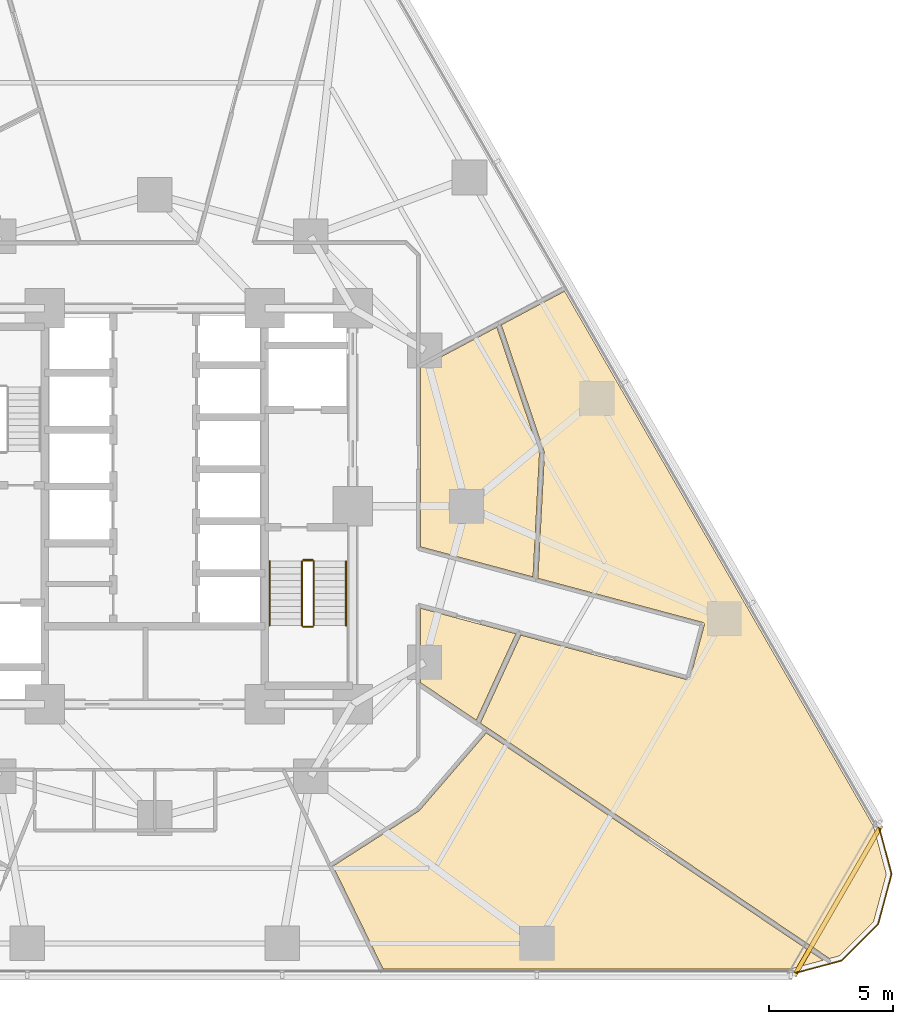
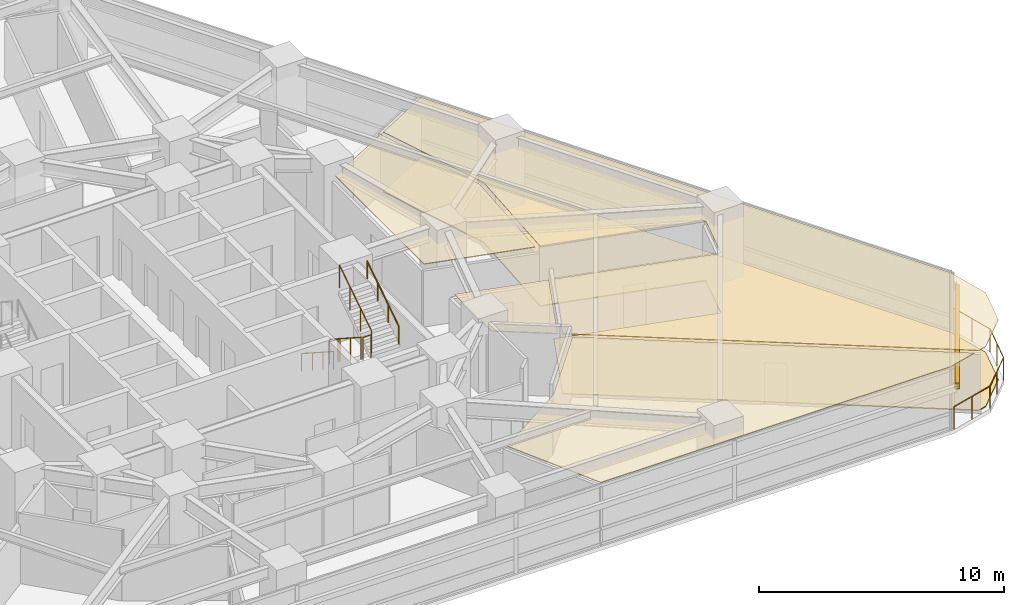
# One storey, part 15 of 16: 7 railings, 5 coverings, 1 shading device.
"""IFC4 building model written with IfcOpenShell, lengths in metres."""

from ifc_helpers import new_model, si_unit, direction, frame, origin, origin_2d, place, context, subcontext, project, spatial, polyline, rectangle, circle, outline, extrude, material, layer, layer_set, type_object, element, save


model = new_model("IFC4")

# Units and contexts
model_context = context("Model", 3, precision=1e-05, world=origin(), true_north=direction((0.0, 1.0)))
body_context = subcontext(model_context, "Body", "Model", "MODEL_VIEW")
ifc_project = project(units=[si_unit("LENGTHUNIT", "METRE"), si_unit("AREAUNIT", "SQUARE_METRE"), si_unit("VOLUMEUNIT", "CUBIC_METRE"), si_unit("PLANEANGLEUNIT", "RADIAN"), si_unit("MASSUNIT", "GRAM", prefix="KILO")], contexts=[model_context])

# Site, building, storey
site_placement = place(None, origin())
site = spatial("IfcSite", under=ifc_project, at=site_placement, CompositionType="ELEMENT")
building_placement = place(site_placement, origin())
building = spatial("IfcBuilding", under=site, at=building_placement, Name="Terralouvre Media Tower", CompositionType="ELEMENT")
storey_placement = place(building_placement, frame((0.0, 0.0, 37.10009765625)))
storey = spatial("IfcBuildingStorey", under=building, at=storey_placement, Name="L08", CompositionType="ELEMENT", Elevation=37.10009765625)

# Coverings
ifc_material_1 = material(Name="Resilient elastomer acoustic broadcast studio flooring")
ifc_layer_1 = layer(ifc_material_1, 0.050048828125, Name="Broadcast Studio Acoustic Floating Floor FL-AC1")
ifc_layer_set_1 = layer_set([ifc_layer_1], Name="Resilient elastomer acoustic broadcast studio flooring")
covering_type_1 = type_object("IfcCoveringType", Name="Broadcast Studio Acoustic Floating Floor FL-AC1", PredefinedType="FLOORING", material=ifc_layer_set_1)
covering_1_placement = place(storey_placement, origin())
element("IfcCovering", 1, at=covering_1_placement, inside=storey, type_object=covering_type_1, Name="L08 Creative Set Workshop 4 Acoustic Floating Floor", PredefinedType="FLOORING", context=body_context, shape_type="SweptSolid", body=[
    extrude(outline(polyline([(15.747802734375, 2.18505859375), (15.750244140625, 2.17578125), (15.752197265625, 2.16650390625), (15.7529296875, 2.1572265625), (15.7529296875, 2.147705078125), (15.487060546875, -2.907470703125), (22.140869140625, -4.6904296875), (22.150146484375, -4.693359375), (22.1591796875, -4.697265625), (22.167724609375, -4.7021484375), (22.17578125, -4.707763671875), (22.183349609375, -4.714111328125), (22.190185546875, -4.72119140625), (22.1962890625, -4.728759765625), (22.20166015625, -4.737060546875), (22.2060546875, -4.74560546875), (22.209716796875, -4.7548828125), (22.21240234375, -4.764404296875), (22.214111328125, -4.77392578125), (22.21484375, -4.78369140625), (22.21484375, -4.793701171875), (22.213623046875, -4.80322265625), (22.211669921875, -4.81298828125), (21.6416015625, -6.93798828125), (21.638671875, -6.947265625), (21.634765625, -6.956298828125), (21.6298828125, -6.96484375), (21.624267578125, -6.972900390625), (21.617919921875, -6.98046875), (21.61083984375, -6.9873046875), (21.603271484375, -6.993408203125), (21.594970703125, -6.99853515625), (21.586181640625, -7.003173828125), (21.5771484375, -7.006591796875), (21.567626953125, -7.009521484375), (21.55810546875, -7.010986328125), (21.54833984375, -7.011962890625), (21.538330078125, -7.01171875), (21.52880859375, -7.0107421875), (21.51904296875, -7.008544921875), (14.795654296875, -5.206298828125), (13.164306640625, -8.7587890625), (13.43994140625, -8.945068359375), (27.279052734375, -18.279541015625), (27.6611328125, -18.17724609375), (29.060302734375, -16.7783203125), (29.572509765625, -14.866943359375), (29.052734375, -12.926513671875), (16.568603515625, 8.6962890625), (14.0078125, 7.334716796875), (15.747802734375, 2.18505859375)])), origin(), (0.0, 0.0, 1.0), 0.0498046875),
])
ifc_material_2 = material(Name="Perforated aluminium acoustic ceiling baffle", Category="aluminium")
ifc_layer_2 = layer(ifc_material_2, 0.0400390625, Name="Perforated Acoustic Metal Tile Ceiling CL-AC1")
ifc_layer_set_2 = layer_set([ifc_layer_2], Name="Perforated aluminium acoustic ceiling baffle")
covering_type_2 = type_object("IfcCoveringType", Name="Perforated Acoustic Metal Tile Ceiling CL-AC1", PredefinedType="CEILING", material=ifc_layer_set_2)
covering_2_placement = place(storey_placement, frame((0.0, 0.0, 2.97998046875)))
element("IfcCovering", 2, at=covering_2_placement, inside=storey, type_object=covering_type_2, Name="L08 Preview Screening Cinema 3 Acoustic Ceiling", PredefinedType="CEILING", context=body_context, shape_type="SweptSolid", body=[
    extrude(outline(polyline([(14.599609375, -5.15380859375), (10.75, -4.122314453125), (10.75, -7.130859375), (12.996337890625, -8.645263671875), (14.599609375, -5.15380859375)])), origin(), (0.0, 0.0, 1.0), 0.0400390625),
])
covering_3_placement = place(storey_placement, frame((0.0, 0.0, 2.97998046875)))
element("IfcCovering", 3, at=covering_3_placement, inside=storey, type_object=covering_type_2, Name="L08 Creative Set Workshop 4 Acoustic Ceiling", PredefinedType="CEILING", context=body_context, shape_type="SweptSolid", body=[
    extrude(outline(polyline([(15.747802734375, 2.18505859375), (15.750244140625, 2.17578125), (15.752197265625, 2.16650390625), (15.7529296875, 2.1572265625), (15.7529296875, 2.147705078125), (15.487060546875, -2.907470703125), (22.140869140625, -4.6904296875), (22.150146484375, -4.693359375), (22.1591796875, -4.697265625), (22.167724609375, -4.7021484375), (22.17578125, -4.707763671875), (22.183349609375, -4.714111328125), (22.190185546875, -4.72119140625), (22.1962890625, -4.728759765625), (22.20166015625, -4.737060546875), (22.2060546875, -4.74560546875), (22.209716796875, -4.7548828125), (22.21240234375, -4.764404296875), (22.214111328125, -4.77392578125), (22.21484375, -4.78369140625), (22.21484375, -4.793701171875), (22.213623046875, -4.80322265625), (22.211669921875, -4.81298828125), (21.6416015625, -6.93798828125), (21.638671875, -6.947265625), (21.634765625, -6.956298828125), (21.6298828125, -6.96484375), (21.624267578125, -6.972900390625), (21.617919921875, -6.98046875), (21.61083984375, -6.9873046875), (21.603271484375, -6.993408203125), (21.594970703125, -6.99853515625), (21.586181640625, -7.003173828125), (21.5771484375, -7.006591796875), (21.567626953125, -7.009521484375), (21.55810546875, -7.010986328125), (21.54833984375, -7.011962890625), (21.538330078125, -7.01171875), (21.52880859375, -7.0107421875), (21.51904296875, -7.008544921875), (14.795654296875, -5.206298828125), (13.164306640625, -8.7587890625), (13.43994140625, -8.945068359375), (27.279052734375, -18.279541015625), (27.6611328125, -18.17724609375), (29.060302734375, -16.7783203125), (29.572509765625, -14.866943359375), (29.052734375, -12.926513671875), (16.568603515625, 8.6962890625), (14.0078125, 7.334716796875), (15.747802734375, 2.18505859375)])), origin(), (0.0, 0.0, 1.0), 0.0400390625),
])
covering_4_placement = place(storey_placement, frame((0.0, 0.0, 2.97998046875)))
element("IfcCovering", 4, at=covering_4_placement, inside=storey, type_object=covering_type_2, Name="L08 Editorial Collaborative Open Office 5 Acoustic Ceiling", PredefinedType="CEILING", context=body_context, shape_type="SweptSolid", body=[
    extrude(outline(polyline([(13.8291015625, 7.239501953125), (10.75, 5.602783203125), (10.75, -1.63818359375), (15.28955078125, -2.8544921875), (15.552001953125, 2.13916015625), (13.8291015625, 7.239501953125)])), origin(), (0.0, 0.0, 1.0), 0.0400390625),
])
covering_5_placement = place(storey_placement, frame((0.0, 0.0, 2.97998046875)))
element("IfcCovering", 5, at=covering_5_placement, inside=storey, type_object=covering_type_2, Name="L08 Production Catering Galley 10 Acoustic Ceiling", PredefinedType="CEILING", context=body_context, shape_type="SweptSolid", body=[
    extrude(outline(polyline([(10.703857421875, -12.291259765625), (10.697021484375, -12.298095703125), (10.68994140625, -12.304443359375), (10.68212890625, -12.31005859375), (7.205810546875, -14.5458984375), (9.23046875, -18.697021484375), (25.720703125, -18.697021484375), (27.023193359375, -18.34814453125), (13.401611328125, -9.16064453125), (10.703857421875, -12.291259765625)])), origin(), (0.0, 0.0, 1.0), 0.0400390625),
])

# Railings
ifc_material_3 = material(Name="Stainless steel 316 handrail and balustrade", Category="steel")
ifc_layer_3 = layer(ifc_material_3, 0.06005859375, Name="Roof Edge Safety Guardrail GR-ROOF1")
ifc_layer_set_3 = layer_set([ifc_layer_3], Name="Stainless steel 316 handrail and balustrade")
railing_type_1 = type_object("IfcRailingType", Name="Roof Edge Safety Guardrail GR-ROOF1", PredefinedType="GUARDRAIL", material=ifc_layer_set_3)
railing_1_placement = place(storey_placement, frame((25.73779296875, -18.907958984375, 0.0)))
element("IfcRailing", 6, at=railing_1_placement, inside=storey, type_object=railing_type_1, Name="L08 Wind-Corner Perimeter Safety Guardrail C1", PredefinedType="GUARDRAIL", context=body_context, shape_type="SweptSolid", body=[
    extrude(circle(Radius=0.02099609375, at=origin_2d()), frame((0.0, 0.0, 1.12890625), z_axis=(0.965987029675, 0.258590522836, 0.0), x_axis=(-0.258590522836, 0.965987029675, 0.0)), (0.0, 0.0, 1.0), 2.095947265625),
    extrude(circle(Radius=0.02099609375, at=origin_2d()), frame((2.024658203125, 0.5419921875, 1.12890625), z_axis=(0.707165029613, 0.707048527961, 0.0), x_axis=(-0.707048527961, 0.707165029613, 0.0)), (0.0, 0.0, 1.0), 2.095703125),
    extrude(circle(Radius=0.02099609375, at=origin_2d()), frame((3.506591796875, 2.023681640625, 1.12890625), z_axis=(0.258757438042, 0.965942331745, 0.0), x_axis=(-0.965942331745, 0.258757438042, 0.0)), (0.0, 0.0, 1.0), 2.095458984375),
    extrude(circle(Radius=0.02099609375, at=origin_2d()), frame((4.048828125, 4.0478515625, 1.12890625), z_axis=(-0.259054358605, 0.965862743503, 0.0), x_axis=(-0.965862743503, -0.259054358605, 0.0)), (0.0, 0.0, 1.0), 2.095947265625),
    extrude(circle(Radius=0.01904296875, at=origin_2d()), origin(), (0.0, 0.0, 1.0), 1.10791015625),
    extrude(circle(Radius=0.01904296875, at=origin_2d()), frame((1.01220703125, 0.27099609375, 0.0)), (0.0, 0.0, 1.0), 1.10791015625),
    extrude(circle(Radius=0.01904296875, at=origin_2d()), frame((2.024658203125, 0.5419921875, 0.0)), (0.0, 0.0, 1.0), 1.10791015625),
    extrude(circle(Radius=0.01904296875, at=origin_2d()), frame((2.765625, 1.28271484375, 0.0)), (0.0, 0.0, 1.0), 1.10791015625),
    extrude(circle(Radius=0.01904296875, at=origin_2d()), frame((3.506591796875, 2.023681640625, 0.0)), (0.0, 0.0, 1.0), 1.10791015625),
    extrude(circle(Radius=0.01904296875, at=origin_2d()), frame((3.77783203125, 3.03564453125, 0.0)), (0.0, 0.0, 1.0), 1.10791015625),
    extrude(circle(Radius=0.01904296875, at=origin_2d()), frame((4.048828125, 4.0478515625, 0.0)), (0.0, 0.0, 1.0), 1.10791015625),
    extrude(circle(Radius=0.01904296875, at=origin_2d()), frame((3.77734375, 5.06005859375, 0.0)), (0.0, 0.0, 1.0), 1.10791015625),
    extrude(circle(Radius=0.01904296875, at=origin_2d()), frame((3.505859375, 6.072265625, 0.0)), (0.0, 0.0, 1.0), 1.10791015625),
])
ifc_material_4 = material(Name="Stainless steel 316 handrail and balustrade", Category="steel")
ifc_layer_4 = layer(ifc_material_4, 0.050048828125, Name="Stair Flight Wall Handrail HR-INT1")
ifc_layer_set_4 = layer_set([ifc_layer_4], Name="Stainless steel 316 handrail and balustrade")
railing_type_2 = type_object("IfcRailingType", Name="Stair Flight Wall Handrail HR-INT1", PredefinedType="HANDRAIL", material=ifc_layer_set_4)
railing_2_placement = place(storey_placement, frame((4.64990234375, -2.219970703125, 0.16796875)))
element("IfcRailing", 7, at=railing_2_placement, inside=storey, type_object=railing_type_2, Name="L08 ST-02 stair handrail 1", PredefinedType="HANDRAIL", context=body_context, shape_type="SweptSolid", body=[
    extrude(circle(Radius=0.02392578125, at=origin_2d()), frame((0.0, 0.0, 0.8759765625), z_axis=(0.0, -0.839648411786, 0.543130320075), x_axis=(1.0, 0.0, 0.0)), (0.0, 0.0, 1.0), 3.0966796875),
    extrude(circle(Radius=0.02099609375, at=origin_2d()), origin(), (0.0, 0.0, 1.0), 0.851806640625),
    extrude(circle(Radius=0.02099609375, at=origin_2d()), frame((0.0, -0.86669921875, 0.560546875)), (0.0, 0.0, 1.0), 0.851806640625),
    extrude(circle(Radius=0.02099609375, at=origin_2d()), frame((0.0, -1.7333984375, 1.121337890625)), (0.0, 0.0, 1.0), 0.851806640625),
    extrude(circle(Radius=0.02099609375, at=origin_2d()), frame((0.0, -2.60009765625, 1.681884765625)), (0.0, 0.0, 1.0), 0.851806640625),
])
railing_3_placement = place(storey_placement, frame((7.72998046875, -4.820068359375, 2.01806640625)))
element("IfcRailing", 8, at=railing_3_placement, inside=storey, type_object=railing_type_2, Name="L08 ST-02 stair handrail 2", PredefinedType="HANDRAIL", context=body_context, shape_type="SweptSolid", body=[
    extrude(circle(Radius=0.02392578125, at=origin_2d()), frame((0.0, 0.0, 0.8759765625), z_axis=(0.0, 0.839648411786, 0.543130320075), x_axis=(-1.0, 0.0, 0.0)), (0.0, 0.0, 1.0), 3.0966796875),
    extrude(circle(Radius=0.02099609375, at=origin_2d()), origin(), (0.0, 0.0, 1.0), 0.851806640625),
    extrude(circle(Radius=0.02099609375, at=origin_2d()), frame((0.0, 0.86669921875, 0.560546875)), (0.0, 0.0, 1.0), 0.851806640625),
    extrude(circle(Radius=0.02099609375, at=origin_2d()), frame((0.0, 1.7333984375, 1.121337890625)), (0.0, 0.0, 1.0), 0.851806640625),
    extrude(circle(Radius=0.02099609375, at=origin_2d()), frame((0.0, 2.60009765625, 1.681884765625)), (0.0, 0.0, 1.0), 0.851806640625),
])
ifc_material_5 = material(Name="Stainless steel 316 handrail and balustrade", Category="steel")
ifc_layer_5 = layer(ifc_material_5, 0.050048828125, Name="Stairwell Safety Guardrail GR-INT1")
ifc_layer_set_5 = layer_set([ifc_layer_5], Name="Stainless steel 316 handrail and balustrade")
railing_type_3 = type_object("IfcRailingType", Name="Stairwell Safety Guardrail GR-INT1", PredefinedType="GUARDRAIL", material=ifc_layer_set_5)
railing_4_placement = place(storey_placement, frame((5.949951171875, -2.219970703125, 0.16796875)))
element("IfcRailing", 9, at=railing_4_placement, inside=storey, type_object=railing_type_3, Name="L08 ST-02 stair guard 1", PredefinedType="GUARDRAIL", context=body_context, shape_type="SweptSolid", body=[
    extrude(circle(Radius=0.02392578125, at=origin_2d()), frame((0.0, 0.0, 1.1259765625), z_axis=(0.0, -0.839648411786, 0.543130320075), x_axis=(1.0, 0.0, 0.0)), (0.0, 0.0, 1.0), 3.0966796875),
    extrude(circle(Radius=0.02099609375, at=origin_2d()), origin(), (0.0, 0.0, 1.0), 1.101806640625),
    extrude(circle(Radius=0.02099609375, at=origin_2d()), frame((0.0, -0.86669921875, 0.560546875)), (0.0, 0.0, 1.0), 1.101806640625),
    extrude(circle(Radius=0.02099609375, at=origin_2d()), frame((0.0, -1.7333984375, 1.121337890625)), (0.0, 0.0, 1.0), 1.101806640625),
    extrude(circle(Radius=0.02099609375, at=origin_2d()), frame((0.0, -2.60009765625, 1.681884765625)), (0.0, 0.0, 1.0), 1.101806640625),
])
railing_5_placement = place(storey_placement, frame((6.0, -4.8701171875, 1.849853515625)))
element("IfcRailing", 10, at=railing_5_placement, inside=storey, type_object=railing_type_3, Name="L08 ST-02 stair guard 2", PredefinedType="GUARDRAIL", context=body_context, shape_type="SweptSolid", body=[
    extrude(circle(Radius=0.02392578125, at=origin_2d()), frame((0.0, 0.0, 1.1259765625), z_axis=(1.0, 0.0, 0.0), x_axis=(0.0, 1.0, 0.0)), (0.0, 0.0, 1.0), 0.3798828125),
    extrude(circle(Radius=0.02099609375, at=origin_2d()), origin(), (0.0, 0.0, 1.0), 1.101806640625),
    extrude(circle(Radius=0.02099609375, at=origin_2d()), frame((0.3798828125, 0.0, 0.0)), (0.0, 0.0, 1.0), 1.101806640625),
])
railing_6_placement = place(storey_placement, frame((6.429931640625, -4.820068359375, 2.01806640625)))
element("IfcRailing", 11, at=railing_6_placement, inside=storey, type_object=railing_type_3, Name="L08 ST-02 stair guard 3", PredefinedType="GUARDRAIL", context=body_context, shape_type="SweptSolid", body=[
    extrude(circle(Radius=0.02392578125, at=origin_2d()), frame((0.0, 0.0, 1.1259765625), z_axis=(0.0, 0.839648411786, 0.543130320075), x_axis=(-1.0, 0.0, 0.0)), (0.0, 0.0, 1.0), 3.0966796875),
    extrude(circle(Radius=0.02099609375, at=origin_2d()), origin(), (0.0, 0.0, 1.0), 1.101806640625),
    extrude(circle(Radius=0.02099609375, at=origin_2d()), frame((0.0, 0.86669921875, 0.560546875)), (0.0, 0.0, 1.0), 1.101806640625),
    extrude(circle(Radius=0.02099609375, at=origin_2d()), frame((0.0, 1.7333984375, 1.121337890625)), (0.0, 0.0, 1.0), 1.101806640625),
    extrude(circle(Radius=0.02099609375, at=origin_2d()), frame((0.0, 2.60009765625, 1.681884765625)), (0.0, 0.0, 1.0), 1.101806640625),
])
railing_7_placement = place(storey_placement, frame((6.0, -2.169921875, 0.0)))
element("IfcRailing", 12, at=railing_7_placement, inside=storey, type_object=railing_type_3, Name="L08 ST-02 stair guard 4", PredefinedType="GUARDRAIL", context=body_context, shape_type="SweptSolid", body=[
    extrude(circle(Radius=0.02392578125, at=origin_2d()), frame((0.0, 0.0, 1.1259765625), z_axis=(1.0, 0.0, 0.0), x_axis=(0.0, 1.0, 0.0)), (0.0, 0.0, 1.0), 0.3798828125),
    extrude(circle(Radius=0.02099609375, at=origin_2d()), origin(), (0.0, 0.0, 1.0), 1.101806640625),
    extrude(circle(Radius=0.02099609375, at=origin_2d()), frame((0.3798828125, 0.0, 0.0)), (0.0, 0.0, 1.0), 1.101806640625),
])

# Shading device
ifc_material_6 = material(Name="Extruded terracotta baguette sunshade louvres", Category="masonry")
shading_device_type = type_object("IfcShadingDeviceType", Name="Terracotta Baguette Sunshade Louvre Screen TB-LV1", PredefinedType="USERDEFINED", material=ifc_material_6)
shading_device_placement = place(storey_placement, frame((27.607666015625, -15.939208984375, 2.02392578125), z_axis=(0.0, 0.0, 1.0), x_axis=(0.499999691503, 0.866025581895, 0.0)))
element("IfcShadingDevice", 13, at=shading_device_placement, inside=storey, type_object=shading_device_type, Name="CW-L08-C1 Terracotta Baguette Sunshade Louvre", ObjectType="BAGUETTE", PredefinedType="USERDEFINED", context=body_context, shape_type="SweptSolid", body=[
    extrude(rectangle(XDim=7.014892578125, YDim=0.179931640625, at=origin_2d()), origin(), (0.0, 0.0, 1.0), 0.280029296875),
])

save(model, "model.ifc")
